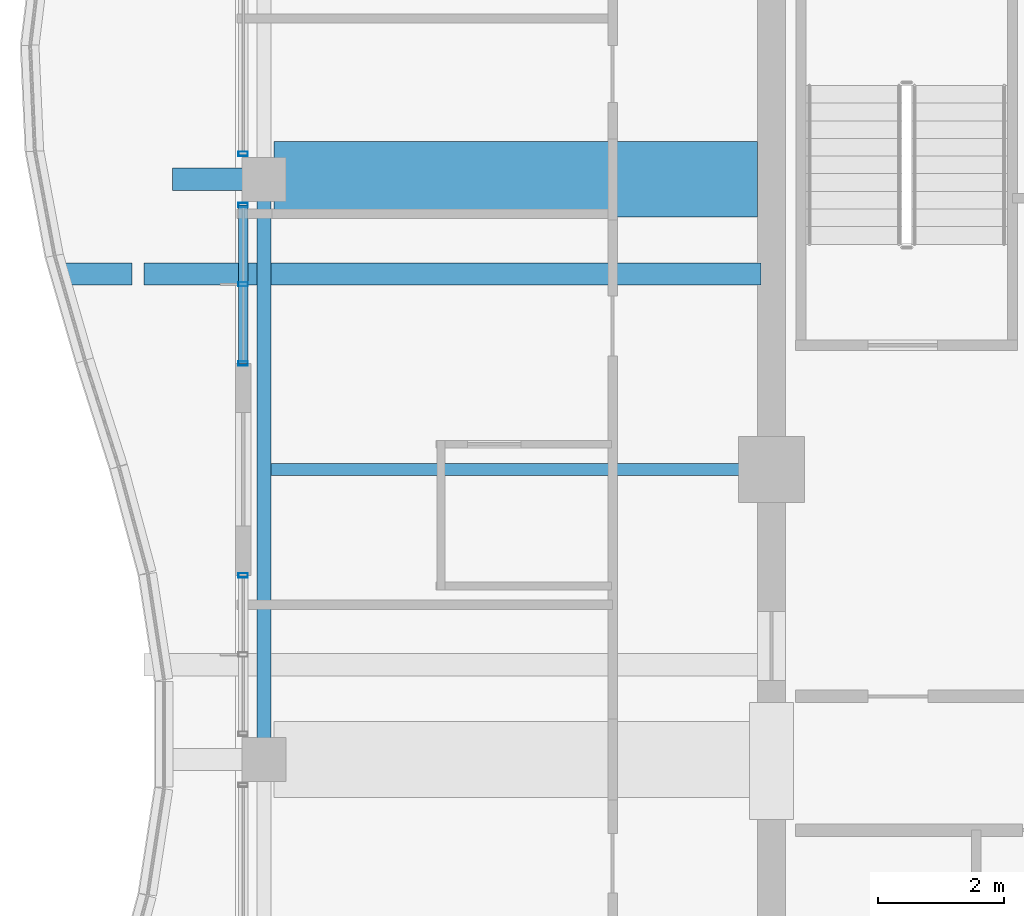
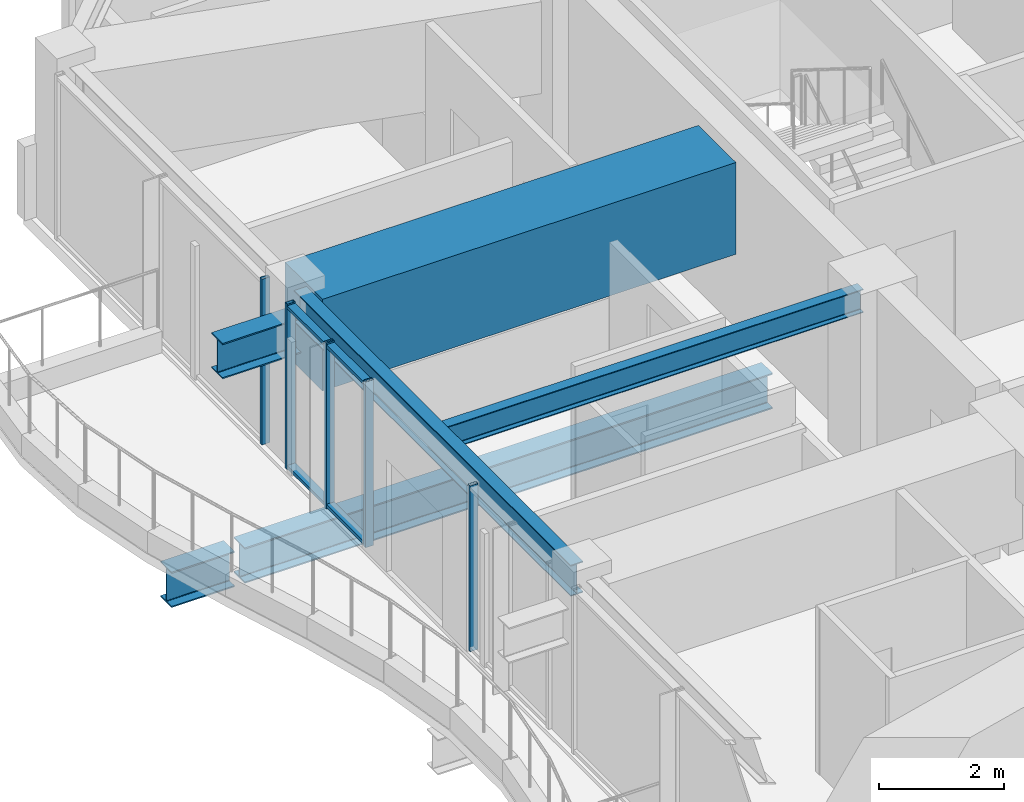
# One storey, part 8 of 31: 7 members, 6 beams, 3 elements without a shape of their own.
"""IFC4 building model written with IfcOpenShell, lengths in metres."""

from ifc_helpers import new_model, si_unit, direction, frame, origin, origin_2d, place, context, subcontext, project, spatial, rectangle, hollow_rectangle, i_section, extrude, material, material_profile, profile_set, type_object, element, aggregate, save


model = new_model("IFC4")

# Units and contexts
model_context = context("Model", 3, precision=1e-05, world=origin(), true_north=direction((0.0, 1.0)))
body_context = subcontext(model_context, "Body", "Model", "MODEL_VIEW")
ifc_project = project(units=[si_unit("LENGTHUNIT", "METRE"), si_unit("AREAUNIT", "SQUARE_METRE"), si_unit("VOLUMEUNIT", "CUBIC_METRE"), si_unit("PLANEANGLEUNIT", "RADIAN"), si_unit("MASSUNIT", "GRAM", prefix="KILO")], contexts=[model_context])

# Site, building, storey
site_placement = place(None, origin())
site = spatial("IfcSite", under=ifc_project, at=site_placement, CompositionType="ELEMENT")
building_placement = place(site_placement, origin())
building = spatial("IfcBuilding", under=site, at=building_placement, Name="Kolvaren Belvedere", CompositionType="ELEMENT")
storey_placement = place(building_placement, frame((0.0, 0.0, 237.39990234375)))
storey = spatial("IfcBuildingStorey", under=building, at=storey_placement, Name="L69", CompositionType="ELEMENT", Elevation=237.39990234375)

# Beams
ifc_material_1 = material(Name="Structural steel ASTM A992 Grade 50", Category="steel")
ifc_material_profile_1 = material_profile(ifc_material_1, i_section(OverallWidth=0.35498046875, OverallDepth=0.696044921875, WebThickness=0.015380859375, FlangeThickness=0.02490234375, FilletRadius=0.02197265625, at=origin_2d()), Name="W27X146")
ifc_profile_set_1 = profile_set([ifc_material_profile_1], Name="Structural steel ASTM A992 Grade 50")
beam_type_1 = type_object("IfcBeamType", Name="BM-CANT-BAL", PredefinedType="BEAM", material=ifc_profile_set_1)
beam_1_placement = place(storey_placement, frame((-20.044921875, 3.10009765625, -0.597900390625), z_axis=(-1.0, 0.0, 0.0), x_axis=(0.0, -1.0, 0.0)))
element("IfcBeam", 1, at=beam_1_placement, inside=storey, type_object=beam_type_1, Name="L69 Planted Balcony Cantilever BAL-W-2", PredefinedType="BEAM", context=body_context, shape_type="SweptSolid", body=[
    extrude(i_section(OverallWidth=0.35498046875, OverallDepth=0.696044921875, WebThickness=0.015380859375, FlangeThickness=0.02490234375, FilletRadius=0.02197265625, at=origin_2d()), origin(), (0.0, 0.0, 1.0), 1.168212890625),
])
beam_2_placement = place(storey_placement, frame((-17.949951171875, 4.60009765625, 2.342041015625), z_axis=(-1.0, 0.0, 0.0), x_axis=(0.0, -1.0, 0.0)))
element("IfcBeam", 2, at=beam_2_placement, inside=storey, type_object=beam_type_1, Name="L69 West Picture-Frame Column Corbel P", PredefinedType="BEAM", context=body_context, shape_type="SweptSolid", body=[
    extrude(i_section(OverallWidth=0.35498046875, OverallDepth=0.696044921875, WebThickness=0.015380859375, FlangeThickness=0.02490234375, FilletRadius=0.02197265625, at=origin_2d()), origin(), (0.0, 0.0, 1.0), 1.449951171875),
])
ifc_material_2 = material(Name="Structural steel ASTM A992 Grade 50", Category="steel")
ifc_material_profile_2 = material_profile(ifc_material_2, i_section(OverallWidth=0.35498046875, OverallDepth=0.696044921875, WebThickness=0.015380859375, FlangeThickness=0.02490234375, FilletRadius=0.02197265625, at=origin_2d()), Name="W27X146")
ifc_profile_set_2 = profile_set([ifc_material_profile_2], Name="Structural steel ASTM A992 Grade 50")
beam_type_2 = type_object("IfcBeamType", Name="BM-GIRD-W27X146", PredefinedType="BEAM", material=ifc_profile_set_2)
beam_3_placement = place(storey_placement, frame((-10.06494140625, 3.10009765625, -0.597900390625), z_axis=(-1.0, 0.0, 0.0), x_axis=(0.0, -1.0, 0.0)))
element("IfcBeam", 3, at=beam_3_placement, inside=storey, type_object=beam_type_2, Name="L69 Balcony Interior Back-Span Girder BAL-W-2", PredefinedType="BEAM", context=body_context, shape_type="SweptSolid", body=[
    extrude(i_section(OverallWidth=0.35498046875, OverallDepth=0.696044921875, WebThickness=0.015380859375, FlangeThickness=0.02490234375, FilletRadius=0.02197265625, at=origin_2d()), origin(), (0.0, 0.0, 1.0), 9.7900390625),
])
ifc_material_3 = material(Name="Structural steel ASTM A992 Grade 50", Category="steel")
ifc_material_profile_3 = material_profile(ifc_material_3, i_section(OverallWidth=0.19091796875, OverallDepth=0.4599609375, WebThickness=0.010009765625, FlangeThickness=0.01611328125, FilletRadius=0.014892578125, at=origin_2d()), Name="W18X55")
ifc_profile_set_3 = profile_set([ifc_material_profile_3], Name="Structural steel ASTM A992 Grade 50")
beam_type_3 = type_object("IfcBeamType", Name="BM-JOIST-W18X55", PredefinedType="BEAM", material=ifc_profile_set_3)
beam_4_placement = place(storey_placement, frame((-10.125, 0.0, 3.02001953125), z_axis=(-1.0, 0.0, 0.0), x_axis=(0.0, -1.0, 0.0)))
element("IfcBeam", 4, at=beam_4_placement, inside=storey, type_object=beam_type_3, Name="L69 West Centre Floor Beam", PredefinedType="BEAM", context=body_context, shape_type="SweptSolid", body=[
    extrude(i_section(OverallWidth=0.19091796875, OverallDepth=0.4599609375, WebThickness=0.010009765625, FlangeThickness=0.01611328125, FilletRadius=0.014892578125, at=origin_2d()), origin(), (0.0, 0.0, 1.0), 7.71044921875),
])
ifc_material_4 = material(Name="Structural steel ASTM A992 Grade 50", Category="steel")
ifc_material_profile_4 = material_profile(ifc_material_4, i_section(OverallWidth=0.22900390625, OverallDepth=0.612060546875, WebThickness=0.011962890625, FlangeThickness=0.01953125, FilletRadius=0.01806640625, at=origin_2d()), Name="W24X84")
ifc_profile_set_4 = profile_set([ifc_material_profile_4], Name="Structural steel ASTM A992 Grade 50")
beam_type_4 = type_object("IfcBeamType", Name="BM-SPAN-W24X84", PredefinedType="SPANDREL", material=ifc_profile_set_4)
beam_5_placement = place(storey_placement, frame((-17.949951171875, 4.4423828125, 2.944091796875), z_axis=(0.0, -1.0, 0.0), x_axis=(1.0, 0.0, 0.0)))
element("IfcBeam", 5, at=beam_5_placement, inside=storey, type_object=beam_type_4, Name="L69 Perimeter Spandrel W3-W2", PredefinedType="SPANDREL", context=body_context, shape_type="SweptSolid", body=[
    extrude(i_section(OverallWidth=0.22900390625, OverallDepth=0.612060546875, WebThickness=0.011962890625, FlangeThickness=0.01953125, FilletRadius=0.01806640625, at=origin_2d()), origin(), (0.0, 0.0, 1.0), 8.884765625),
])
ifc_material_5 = material(Name="Concrete C50/60", Category="concrete")
ifc_material_profile_5 = material_profile(ifc_material_5, rectangle(XDim=1.199951171875, YDim=1.800048828125, at=origin_2d()), Name="RC 1200X1800")
ifc_profile_set_5 = profile_set([ifc_material_profile_5], Name="Concrete C50/60")
beam_type_5 = type_object("IfcBeamType", Name="BM-TG-1800", PredefinedType="BEAM", material=ifc_profile_set_5)
beam_6_placement = place(storey_placement, frame((-10.125, 4.60009765625, 2.35009765625), z_axis=(-1.0, 0.0, 0.0), x_axis=(0.0, -1.0, 0.0)))
element("IfcBeam", 6, at=beam_6_placement, inside=storey, type_object=beam_type_5, Name="L69 West Radial Girder P", PredefinedType="BEAM", context=body_context, shape_type="SweptSolid", body=[
    extrude(rectangle(XDim=1.199951171875, YDim=1.800048828125, at=origin_2d()), origin(), (0.0, 0.0, 1.0), 7.66748046875),
])

# Curtain wall, member
ifc_material_6 = material(Name="Anodised pale-metal aluminium AA 6063-T6", Category="aluminium")
curtain_wall_type = type_object("IfcCurtainWallType", Name="CW-Z5-HIGH", PredefinedType="NOTDEFINED", material=ifc_material_6)
curtain_wall_1_placement = place(storey_placement, origin())
curtain_wall_1 = element("IfcCurtainWall", 7, at=curtain_wall_1_placement, inside=storey, type_object=curtain_wall_type, Name="L69 Unitised Curtain Wall FCW-L69-W1-B2", PredefinedType="NOTDEFINED")
ifc_material_7 = material(Name="Anodised pale-metal aluminium AA 6063-T6", Category="aluminium")
ifc_material_profile_6 = material_profile(ifc_material_7, hollow_rectangle(XDim=0.070068359375, YDim=0.14990234375, WallThickness=0.004150390625, at=origin_2d()), Name="ALU-MUL-150X70")
ifc_profile_set_6 = profile_set([ifc_material_profile_6], Name="Anodised pale-metal aluminium AA 6063-T6")
member_type_1 = type_object("IfcMemberType", Name="CW-MUL-150", PredefinedType="MULLION", material=ifc_profile_set_6)
member_1_placement = place(storey_placement, frame((-18.280029296875, -1.679931640625, 0.0), z_axis=(0.0, 0.0, 1.0), x_axis=(0.0, 1.0, 0.0)))
member_1 = element("IfcMember", 8, at=member_1_placement, type_object=member_type_1, Name="FCW-L69-W1-B2 Unitised Mullion 3", PredefinedType="MULLION", context=body_context, shape_type="SweptSolid", body=[
    extrude(hollow_rectangle(XDim=0.070068359375, YDim=0.14990234375, WallThickness=0.004150390625, at=origin_2d()), origin(), (0.0, 0.0, 1.0), 3.25),
])
aggregate(curtain_wall_1, [member_1])

# Curtain wall, members
curtain_wall_2_placement = place(storey_placement, origin())
curtain_wall_2 = element("IfcCurtainWall", 9, at=curtain_wall_2_placement, inside=storey, type_object=curtain_wall_type, Name="L69 Unitised Curtain Wall FCW-L69-W2-B1", PredefinedType="NOTDEFINED")
member_2_placement = place(storey_placement, frame((-18.280029296875, 1.679931640625, 0.0), z_axis=(0.0, 0.0, 1.0), x_axis=(0.0, 1.0, 0.0)))
member_2 = element("IfcMember", 10, at=member_2_placement, type_object=member_type_1, Name="FCW-L69-W2-B1 Unitised Mullion 1", PredefinedType="MULLION", context=body_context, shape_type="SweptSolid", body=[
    extrude(hollow_rectangle(XDim=0.070068359375, YDim=0.14990234375, WallThickness=0.004150390625, at=origin_2d()), origin(), (0.0, 0.0, 1.0), 3.25),
])
member_3_placement = place(storey_placement, frame((-18.280029296875, 2.9375, 0.0), z_axis=(0.0, 0.0, 1.0), x_axis=(0.0, 1.0, 0.0)))
member_3 = element("IfcMember", 11, at=member_3_placement, type_object=member_type_1, Name="FCW-L69-W2-B1 Unitised Mullion 2", PredefinedType="MULLION", context=body_context, shape_type="SweptSolid", body=[
    extrude(hollow_rectangle(XDim=0.070068359375, YDim=0.14990234375, WallThickness=0.004150390625, at=origin_2d()), origin(), (0.0, 0.0, 1.0), 3.25),
])
member_4_placement = place(storey_placement, frame((-18.280029296875, 4.195068359375, 0.0), z_axis=(0.0, 0.0, 1.0), x_axis=(0.0, 1.0, 0.0)))
member_4 = element("IfcMember", 12, at=member_4_placement, type_object=member_type_1, Name="FCW-L69-W2-B1 Unitised Mullion 3", PredefinedType="MULLION", context=body_context, shape_type="SweptSolid", body=[
    extrude(hollow_rectangle(XDim=0.070068359375, YDim=0.14990234375, WallThickness=0.004150390625, at=origin_2d()), origin(), (0.0, 0.0, 1.0), 3.25),
])

# Curtain wall, member
curtain_wall_3_placement = place(storey_placement, origin())
curtain_wall_3 = element("IfcCurtainWall", 13, at=curtain_wall_3_placement, inside=storey, type_object=curtain_wall_type, Name="L69 Unitised Curtain Wall FCW-L69-W2-B2", PredefinedType="NOTDEFINED")
member_5_placement = place(storey_placement, frame((-18.280029296875, 5.0048828125, 0.0), z_axis=(0.0, 0.0, 1.0), x_axis=(0.0, 1.0, 0.0)))
member_5 = element("IfcMember", 14, at=member_5_placement, type_object=member_type_1, Name="FCW-L69-W2-B2 Unitised Mullion 1", PredefinedType="MULLION", context=body_context, shape_type="SweptSolid", body=[
    extrude(hollow_rectangle(XDim=0.070068359375, YDim=0.14990234375, WallThickness=0.004150390625, at=origin_2d()), origin(), (0.0, 0.0, 1.0), 3.25),
])
aggregate(curtain_wall_3, [member_5])

# Member
ifc_material_8 = material(Name="Anodised pale-metal aluminium AA 6063-T6", Category="aluminium")
ifc_material_profile_7 = material_profile(ifc_material_8, hollow_rectangle(XDim=0.06494140625, YDim=0.14990234375, WallThickness=0.00390625, at=origin_2d()), Name="ALU-TRN-150X65")
ifc_profile_set_7 = profile_set([ifc_material_profile_7], Name="Anodised pale-metal aluminium AA 6063-T6")
member_type_2 = type_object("IfcMemberType", Name="CW-TRN-150", PredefinedType="USERDEFINED", material=ifc_profile_set_7)
member_6_placement = place(storey_placement, frame((-18.280029296875, 1.679931640625, 0.06005859375), z_axis=(0.0, 1.0, 0.0), x_axis=(0.0, 0.0, 1.0)))
member_6 = element("IfcMember", 15, at=member_6_placement, type_object=member_type_2, Name="FCW-L69-W2-B1 Sill Transom", ObjectType="TRANSOM", PredefinedType="USERDEFINED", context=body_context, shape_type="SweptSolid", body=[
    extrude(hollow_rectangle(XDim=0.06494140625, YDim=0.14990234375, WallThickness=0.00390625, at=origin_2d()), origin(), (0.0, 0.0, 1.0), 2.51513671875),
])

member_7_placement = place(storey_placement, frame((-18.280029296875, 1.679931640625, 3.190185546875), z_axis=(0.0, 1.0, 0.0), x_axis=(0.0, 0.0, 1.0)))
member_7 = element("IfcMember", 16, at=member_7_placement, type_object=member_type_2, Name="FCW-L69-W2-B1 Head Transom", ObjectType="TRANSOM", PredefinedType="USERDEFINED", context=body_context, shape_type="SweptSolid", body=[
    extrude(hollow_rectangle(XDim=0.06494140625, YDim=0.14990234375, WallThickness=0.00390625, at=origin_2d()), origin(), (0.0, 0.0, 1.0), 2.51513671875),
])

aggregate(curtain_wall_2, [member_2, member_3, member_4, member_6, member_7])

save(model, "model.ifc")
